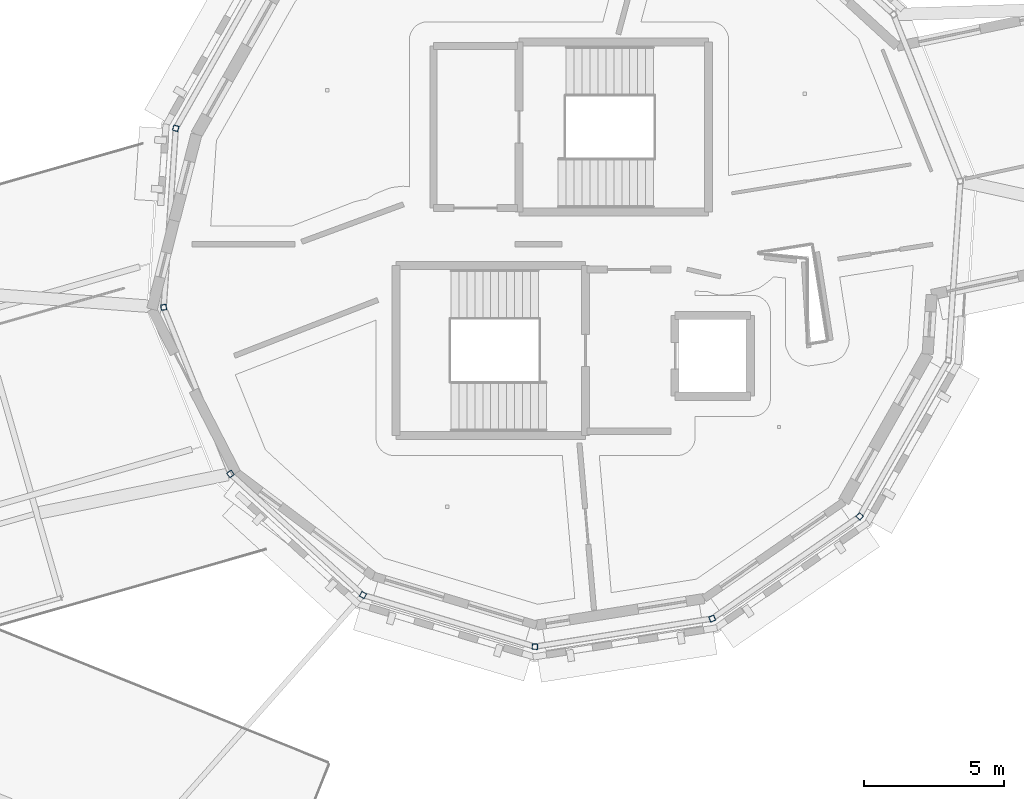
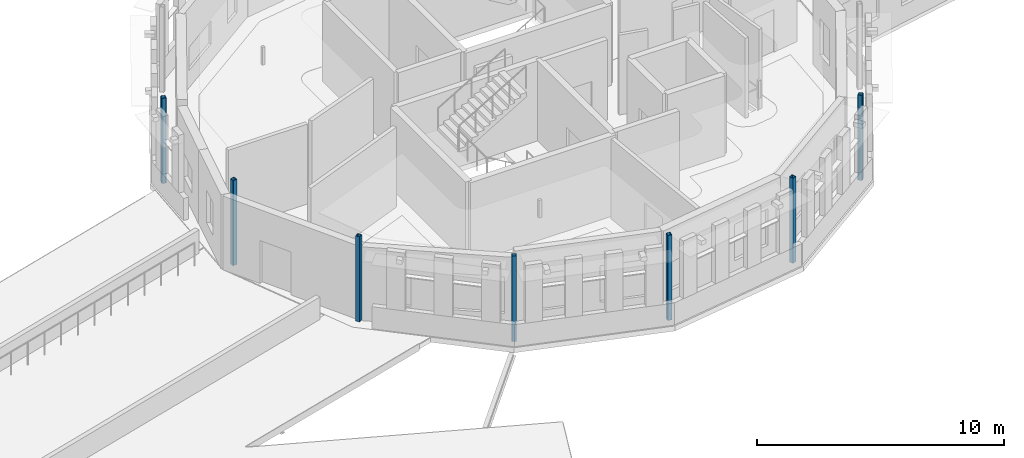
# One storey, part 7 of 90: 7 columns.
"""IFC4 building model written with IfcOpenShell, lengths in metres."""

import ifcopenshell
import ifcopenshell.guid

model = None  # the IFC model being written
_history = None  # IfcOwnerHistory: only IFC2X3 demands one
_inside = {}  # id of a spatial element -> (the spatial element, [elements in it])
_under = {}  # id of a project, library or spatial element -> (it, [spatial elements below it])
_declared = {}  # id of a project -> (the project, [libraries it declares])
_typed = {}  # id of a type object -> (the type object, [elements of that type])
_made_of = {}  # id of a material, layer set ... -> (it, [elements and type objects made of it])


def new_model(schema):
    """Start an empty IFC model of exactly this schema.

    Asked for "IFC4X3", IfcOpenShell would pick the latest addendum, in which some entities
    have other attributes; the version numbers below select the first issue.
    IFC2X3 requires an IfcOwnerHistory on every rooted entity: one is made here for all.
    """
    global model, _history
    if schema == "IFC4X3":
        model = ifcopenshell.file(schema_version=(4, 3, 0, 0))
    else:
        model = ifcopenshell.file(schema=schema)
    _inside.clear()
    _under.clear()
    _declared.clear()
    _typed.clear()
    _made_of.clear()
    _history = None
    if model.schema == "IFC2X3":
        org = make("IfcOrganization", Name="unknown")
        user = make(
            "IfcPersonAndOrganization",
            ThePerson=make("IfcPerson", FamilyName="unknown"),
            TheOrganization=org,
        )
        app = make(
            "IfcApplication",
            ApplicationDeveloper=org,
            Version="unknown",
            ApplicationFullName="unknown",
            ApplicationIdentifier="unknown",
        )
        _history = make(
            "IfcOwnerHistory",
            OwningUser=user,
            OwningApplication=app,
            ChangeAction="ADDED",
            CreationDate=0,
        )
    return model


def make(cls, **values):
    """One entity of the class cls with the attributes given. An attribute that is None is left unset."""
    return model.create_entity(
        cls, **{name: value for name, value in values.items() if value is not None}
    )


def rooted(cls, **values):
    """An entity with a GlobalId (a new one), such as an element, a storey or a relation."""
    return make(cls, GlobalId=ifcopenshell.guid.new(), OwnerHistory=_history, **values)


def si_unit(unit_type, name, prefix=None):
    """IfcSIUnit, for example si_unit("LENGTHUNIT", "METRE", prefix="MILLI")."""
    return make("IfcSIUnit", UnitType=unit_type, Prefix=prefix, Name=name)


def assignment(units):
    """IfcUnitAssignment: the units of a project."""
    return None if units is None else make("IfcUnitAssignment", Units=units)


def point(xyz):
    """IfcCartesianPoint."""
    return None if xyz is None else make("IfcCartesianPoint", Coordinates=xyz)


def direction(xyz):
    """IfcDirection."""
    return None if xyz is None else make("IfcDirection", DirectionRatios=xyz)


def frame(location, z_axis=None, x_axis=None):
    """IfcAxis2Placement3D, a coordinate frame: its origin and axes. An axis left out is left unset."""
    return make(
        "IfcAxis2Placement3D",
        Location=point(location),
        Axis=direction(z_axis),
        RefDirection=direction(x_axis),
    )


def frame_2d(location, x_axis=None):
    """IfcAxis2Placement2D, a coordinate frame in the plane: its origin and x axis."""
    return make(
        "IfcAxis2Placement2D", Location=point(location), RefDirection=direction(x_axis)
    )


def origin():
    """The frame at (0, 0, 0) with its axes left unset."""
    return frame((0.0, 0.0, 0.0))


def origin_2d():
    """The frame at (0, 0) in the plane with its x axis left unset."""
    return frame_2d((0.0, 0.0))


def place(relative_to, where):
    """IfcLocalPlacement: puts the frame where relative to a parent placement (None: the world)."""
    return make(
        "IfcLocalPlacement", PlacementRelTo=relative_to, RelativePlacement=where
    )


def context(
    kind, dimensions, precision=None, world=None, true_north=None, identifier=None
):
    """IfcGeometricRepresentationContext, for example the 3D "Model" context."""
    return make(
        "IfcGeometricRepresentationContext",
        ContextIdentifier=identifier,
        ContextType=kind,
        CoordinateSpaceDimension=dimensions,
        Precision=precision,
        WorldCoordinateSystem=world,
        TrueNorth=true_north,
    )


def subcontext(parent, identifier, kind, view, scale=None):
    """IfcGeometricRepresentationSubContext, for example "Body" below "Model"."""
    return make(
        "IfcGeometricRepresentationSubContext",
        ContextIdentifier=identifier,
        ContextType=kind,
        ParentContext=parent,
        TargetScale=scale,
        TargetView=view,
    )


def project(units=None, contexts=None):
    """IfcProject with its units and contexts."""
    return rooted(
        "IfcProject",
        Name="project",
        RepresentationContexts=contexts,
        UnitsInContext=assignment(units),
    )


def spatial(cls, under=None, at=None, **own):
    """A site, building, storey or space (cls), placed at a placement, below another one or the project."""
    s = rooted(cls, ObjectPlacement=at, **own)
    if under is not None:
        _under.setdefault(under.id(), (under, []))[1].append(s)
    return s


def profile(cls, at=None, kind="AREA", **sizes):
    """A parametric profile (cls). Its sizes go by their IFC names, for example OverallWidth=200.0."""
    return make(cls, ProfileType=kind, Position=at, **sizes)


def hollow_rectangle(**sizes):
    """IfcRectangleHollowProfileDef."""
    return profile("IfcRectangleHollowProfileDef", **sizes)


def extrude(swept, where, along, depth):
    """IfcExtrudedAreaSolid: the profile swept, set in the frame where, extruded along a direction by depth."""
    return make(
        "IfcExtrudedAreaSolid",
        SweptArea=swept,
        Position=where,
        ExtrudedDirection=direction(along),
        Depth=depth,
    )


def shape(context_of_items, identifier, shape_type, items):
    """IfcShapeRepresentation: the items that make up one representation, for example the "Body"."""
    return make(
        "IfcShapeRepresentation",
        ContextOfItems=context_of_items,
        RepresentationIdentifier=identifier,
        RepresentationType=shape_type,
        Items=items,
    )


def material(Name=None, Category=None):
    """IfcMaterial."""
    return make("IfcMaterial", Name=Name, Category=Category)


def material_profile(
    of_material, cross_section, Name=None, Category=None, Priority=None
):
    """IfcMaterialProfile: a cross section and its material."""
    return make(
        "IfcMaterialProfile",
        Name=Name,
        Material=of_material,
        Profile=cross_section,
        Priority=Priority,
        Category=Category,
    )


def profile_set(profiles, Name=None, composite=None):
    """IfcMaterialProfileSet."""
    return make(
        "IfcMaterialProfileSet",
        Name=Name,
        MaterialProfiles=profiles,
        CompositeProfile=composite,
    )


def made_of(thing, what):
    """Note that an element or type object is made of a material, layer set ...; save() writes the relation."""
    if what is not None:
        _made_of.setdefault(what.id(), (what, []))[1].append(thing)
    return thing


def type_object(cls, material=None, **own):
    """A type object (cls), such as IfcWallType, which elements share."""
    return made_of(rooted(cls, **own), material)


def element(
    cls,
    number,
    at=None,
    inside=None,
    cuts=None,
    type_object=None,
    material=None,
    context=None,
    identifier="Body",
    shape_type=None,
    held_by="IfcProductDefinitionShape",
    body=None,
    shapes=None,
    **own,
):
    """One element of the class cls, such as IfcWall. Its Tag is "e" and its number.

    at: its placement. inside: the storey or other place that contains it. cuts: it is an
    opening in that element (IfcRelVoidsElement). A single representation is given by context,
    identifier, shape_type and body (its items); several are given by shapes. held_by: the class
    of the entity that holds the representations. save() writes the other relations.
    """
    e = rooted(cls, Tag="e%d" % number, ObjectPlacement=at, **own)
    if body is not None:
        shapes = [shape(context, identifier, shape_type, body)]
    if shapes is not None:
        e.Representation = make(held_by, Representations=shapes)
    if inside is not None:
        _inside.setdefault(inside.id(), (inside, []))[1].append(e)
    if cuts is not None:
        rooted(
            "IfcRelVoidsElement", RelatingBuildingElement=cuts, RelatedOpeningElement=e
        )
    if type_object is not None:
        _typed.setdefault(type_object.id(), (type_object, []))[1].append(e)
    return made_of(e, material)


def aggregate(whole, parts):
    """IfcRelAggregates: a whole, such as a stair, and the parts it consists of."""
    return rooted("IfcRelAggregates", RelatingObject=whole, RelatedObjects=parts)


def save(model, path):
    """Write the relations noted so far, then the file.

    IfcRelAggregates (storeys below a building ...), IfcRelContainedInSpatialStructure (elements
    in a storey), IfcRelDefinesByType, IfcRelAssociatesMaterial and IfcRelDeclares: one each for
    every whole, place, type object, material and project.
    """
    for whole, parts in _under.values():
        aggregate(whole, parts)
    for where, things in _inside.values():
        rooted(
            "IfcRelContainedInSpatialStructure",
            RelatedElements=things,
            RelatingStructure=where,
        )
    for kind, things in _typed.values():
        rooted("IfcRelDefinesByType", RelatedObjects=things, RelatingType=kind)
    for what, things in _made_of.values():
        rooted("IfcRelAssociatesMaterial", RelatedObjects=things, RelatingMaterial=what)
    for by, libraries in _declared.values():
        rooted("IfcRelDeclares", RelatingContext=by, RelatedDefinitions=libraries)
    model.write(path)


model = new_model("IFC4")

# Units and contexts
model_context = context("Model", 3, precision=1e-05, world=origin(), true_north=direction((0.0, 1.0)))
body_context = subcontext(model_context, "Body", "Model", "MODEL_VIEW")
ifc_project = project(units=[si_unit("LENGTHUNIT", "METRE"), si_unit("AREAUNIT", "SQUARE_METRE"), si_unit("VOLUMEUNIT", "CUBIC_METRE"), si_unit("PLANEANGLEUNIT", "RADIAN"), si_unit("MASSUNIT", "GRAM", prefix="KILO")], contexts=[model_context])

# Site, building, storey
site_placement = place(None, origin())
site = spatial("IfcSite", under=ifc_project, at=site_placement, CompositionType="ELEMENT")
building_placement = place(site_placement, origin())
building = spatial("IfcBuilding", under=site, at=building_placement, Name="Wrenclough Park School", CompositionType="ELEMENT")
storey_placement = place(building_placement, frame((0.0, 0.0, 8.39990234375)))
storey = spatial("IfcBuildingStorey", under=building, at=storey_placement, Name="L02", CompositionType="ELEMENT", Elevation=8.39990234375)

# Columns
ifc_material = material(Name="Structural steel S355", Category="steel")
ifc_material_profile = material_profile(ifc_material, hollow_rectangle(XDim=0.199951171875, YDim=0.199951171875, WallThickness=0.012451171875, InnerFilletRadius=0.012451171875, OuterFilletRadius=0.018798828125, at=origin_2d()), Name="SHS 200x200x12.5")
ifc_profile_set = profile_set([ifc_material_profile], Name="Structural steel S355")
column_type = type_object("IfcColumnType", Name="STR-COL-SHS200", PredefinedType="COLUMN", material=ifc_profile_set)
for number, where, z_axis, x_axis, name in (
    (1, (69.160400390625, 112.65576171875, 0.0), (0.0, 0.0, 1.0), (-0.287527687034, -0.957772326385, 0.0), "D4 L02 column D4-OUT-07"),
    (2, (68.727783203125, 106.239501953125, 0.0), (0.0, 0.0, 1.0), (0.15643446504, -0.987688340595, 0.0), "D4 L02 column D4-OUT-08"),
    (3, (71.1220703125, 100.27099609375, 0.0), (0.0, 0.0, 1.0), (0.569423005964, -0.822044670489, 0.0), "D4 L02 column D4-OUT-09"),
    (4, (75.868896484375, 95.93212890625, 0.0), (0.0, 0.0, 1.0), (0.869753437661, -0.493486532416, 0.0), "D4 L02 column D4-OUT-10"),
    (5, (82.028076171875, 94.082763671875, 0.0), (0.0, 0.0, 1.0), (0.997731519333, -0.067318759124, 0.0), "D4 L02 column D4-OUT-11"),
    (6, (88.379638671875, 95.088623046875, 0.0), (0.0, 0.0, 1.0), (0.928096422365, 0.372339939832, 0.0), "D4 L02 column D4-OUT-12"),
    (7, (93.665771484375, 98.7509765625, 0.0), (0.0, 0.0, 1.0), (0.674688949446, 0.738102175512, 0.0), "D4 L02 column D4-OUT-13"),
):
    element("IfcColumn", number, at=place(storey_placement, frame(where, z_axis=z_axis, x_axis=x_axis)), inside=storey, type_object=column_type, Name=name, PredefinedType="COLUMN", context=body_context, shape_type="SweptSolid", body=[
        extrude(hollow_rectangle(XDim=0.199951171875, YDim=0.199951171875, WallThickness=0.012451171875, InnerFilletRadius=0.012451171875, OuterFilletRadius=0.018798828125, at=origin_2d()), origin(), (0.0, 0.0, 1.0), 4.2001953125),
    ])

save(model, "model.ifc")
